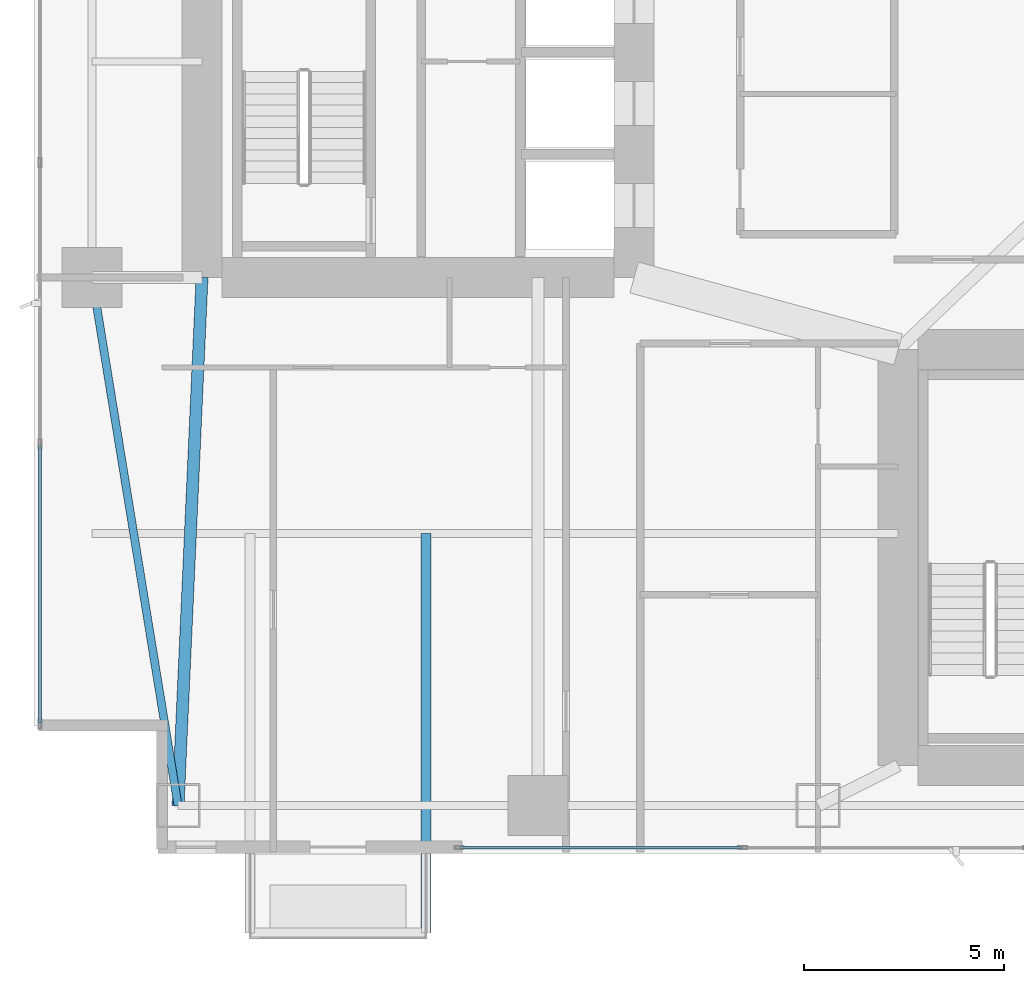
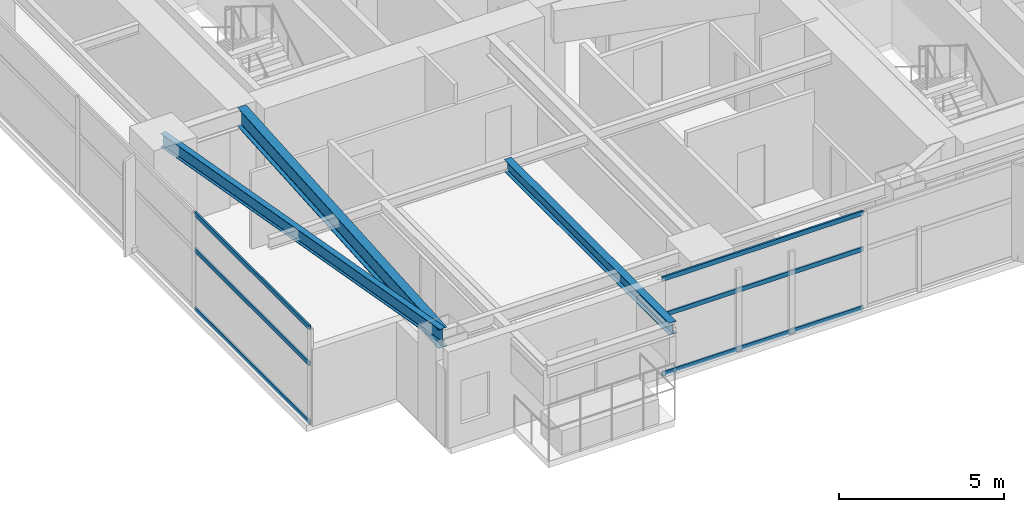
# One storey, part 3 of 30: 6 members, 3 beams, 2 elements without a shape of their own.
"""IFC4 building model written with IfcOpenShell, lengths in metres."""

from ifc_helpers import new_model, si_unit, direction, frame, origin, origin_2d, place, context, subcontext, project, spatial, hollow_rectangle, i_section, extrude, material, layer, layer_set, material_profile, profile_set, type_object, element, aggregate, save


model = new_model("IFC4")

# Units and contexts
model_context = context("Model", 3, precision=1e-05, world=origin(), true_north=direction((0.0, 1.0)))
body_context = subcontext(model_context, "Body", "Model", "MODEL_VIEW")
ifc_project = project(units=[si_unit("LENGTHUNIT", "METRE"), si_unit("AREAUNIT", "SQUARE_METRE"), si_unit("VOLUMEUNIT", "CUBIC_METRE"), si_unit("PLANEANGLEUNIT", "RADIAN"), si_unit("MASSUNIT", "GRAM", prefix="KILO")], contexts=[model_context])

# Site, building, storey
site_placement = place(None, origin())
site = spatial("IfcSite", under=ifc_project, at=site_placement, CompositionType="ELEMENT")
building_placement = place(site_placement, origin())
building = spatial("IfcBuilding", under=site, at=building_placement, Name="Calvorn Quay Hotel", CompositionType="ELEMENT")
storey_placement = place(building_placement, frame((0.0, 0.0, 50.800048828125)))
storey = spatial("IfcBuildingStorey", under=building, at=storey_placement, Name="L11", CompositionType="ELEMENT", Elevation=50.800048828125)

# Beams
ifc_material_1 = material(Name="Steel Q355B", Category="steel")
ifc_material_profile_1 = material_profile(ifc_material_1, i_section(OverallWidth=0.25, OverallDepth=0.449951171875, WebThickness=0.011962890625, FlangeThickness=0.01611328125, FilletRadius=0.01611328125, at=origin_2d()), Name="HN450x250x12x16")
ifc_profile_set_1 = profile_set([ifc_material_profile_1], Name="Steel Q355B")
beam_type_1 = type_object("IfcBeamType", Name="BM-CANT-BALC", PredefinedType="BEAM", material=ifc_profile_set_1)
beam_1_placement = place(storey_placement, frame((9.800048828125, 10.39990234375, 3.31494140625), z_axis=(0.0, -1.0, 0.0), x_axis=(1.0, 0.0, 0.0)))
element("IfcBeam", 1, at=beam_1_placement, inside=storey, type_object=beam_type_1, Name="Cantilever Balcony Beam BCB-L12-2B", PredefinedType="BEAM", context=body_context, shape_type="SweptSolid", body=[
    extrude(i_section(OverallWidth=0.25, OverallDepth=0.449951171875, WebThickness=0.011962890625, FlangeThickness=0.01611328125, FilletRadius=0.01611328125, at=origin_2d()), origin(), (0.0, 0.0, 1.0), 9.989990234375),
])
ifc_material_2 = material(Name="Steel Q390GJC", Category="steel")
ifc_material_profile_2 = material_profile(ifc_material_2, i_section(OverallWidth=0.300048828125, OverallDepth=0.699951171875, WebThickness=0.012939453125, FlangeThickness=0.02392578125, FilletRadius=0.02392578125, at=origin_2d()), Name="HN700x300x13x24")
ifc_profile_set_2 = profile_set([ifc_material_profile_2], Name="Steel Q390GJC")
beam_type_2 = type_object("IfcBeamType", Name="BM-GIRD-MAIN", PredefinedType="BEAM", material=ifc_profile_set_2)
beam_2_placement = place(storey_placement, frame((3.60009765625, 3.60009765625, 3.18994140625), z_axis=(0.045396765494, 0.998969035397, 0.0), x_axis=(-0.998969035397, 0.045396765494, 0.0)))
element("IfcBeam", 2, at=beam_2_placement, inside=storey, type_object=beam_type_2, Name="Beam BG-L11-W0", PredefinedType="BEAM", context=body_context, shape_type="SweptSolid", body=[
    extrude(i_section(OverallWidth=0.300048828125, OverallDepth=0.699951171875, WebThickness=0.012939453125, FlangeThickness=0.02392578125, FilletRadius=0.02392578125, at=origin_2d()), origin(), (0.0, 0.0, 1.0), 13.213623046875),
])
ifc_material_3 = material(Name="Steel Q355B", Category="steel")
ifc_material_profile_3 = material_profile(ifc_material_3, i_section(OverallWidth=0.199951171875, OverallDepth=0.5, WebThickness=0.010009765625, FlangeThickness=0.01611328125, FilletRadius=0.01611328125, at=origin_2d()), Name="HN500x200x10x16")
ifc_profile_set_3 = profile_set([ifc_material_profile_3], Name="Steel Q355B")
beam_type_3 = type_object("IfcBeamType", Name="BM-SPANDREL-Z1", PredefinedType="SPANDREL", material=ifc_profile_set_3)
beam_3_placement = place(storey_placement, frame((3.60009765625, 3.60009765625, 3.2900390625), z_axis=(-0.16077155054, 0.986991645627, 0.0), x_axis=(-0.986991645627, -0.16077155054, 0.0)))
element("IfcBeam", 3, at=beam_3_placement, inside=storey, type_object=beam_type_3, Name="Beam BSP-L11-W1", PredefinedType="SPANDREL", context=body_context, shape_type="SweptSolid", body=[
    extrude(i_section(OverallWidth=0.199951171875, OverallDepth=0.5, WebThickness=0.010009765625, FlangeThickness=0.01611328125, FilletRadius=0.01611328125, at=origin_2d()), origin(), (0.0, 0.0, 1.0), 13.3740234375),
])

# Curtain wall, members
ifc_material_4 = material(Name="Pale Anodised Aluminium and Low-E Glass", Category="aluminium")
ifc_layer = layer(ifc_material_4, 0.219970703125)
ifc_layer_set = layer_set([ifc_layer], Name="CW-SYS-Z1")
curtain_wall_type = type_object("IfcCurtainWallType", Name="CW-SYS-Z1", PredefinedType="NOTDEFINED", material=ifc_layer_set)
curtain_wall_1_placement = place(storey_placement, origin())
curtain_wall_1 = element("IfcCurtainWall", 4, at=curtain_wall_1_placement, inside=storey, type_object=curtain_wall_type, Name="Tower West Curtain Wall (L11)", PredefinedType="NOTDEFINED")
ifc_material_5 = material(Name="Pale Anodised Aluminium 6063-T6", Category="aluminium")
ifc_material_profile_4 = material_profile(ifc_material_5, hollow_rectangle(XDim=0.06494140625, YDim=0.1650390625, WallThickness=0.00341796875, at=origin_2d()), Name="ALU-T165x65x3.5")
ifc_profile_set_4 = profile_set([ifc_material_profile_4], Name="Pale Anodised Aluminium 6063-T6")
member_type = type_object("IfcMemberType", Name="CW-SYS-Z1-TRN", PredefinedType="USERDEFINED", material=ifc_profile_set_4)
member_1_placement = place(storey_placement, frame((0.14990234375, 5.659912109375, 0.030029296875), z_axis=(0.0, 1.0, 0.0), x_axis=(-1.0, 0.0, 0.0)))
member_1 = element("IfcMember", 5, at=member_1_placement, type_object=member_type, Name="CW-L11-W transom 1.1", ObjectType="TRANSOM", PredefinedType="USERDEFINED", context=body_context, shape_type="SweptSolid", body=[
    extrude(hollow_rectangle(XDim=0.06494140625, YDim=0.1650390625, WallThickness=0.00341796875, at=origin_2d()), origin(), (0.0, 0.0, 1.0), 6.943359375),
])
member_2_placement = place(storey_placement, frame((0.14990234375, 5.659912109375, 2.199951171875), z_axis=(0.0, 1.0, 0.0), x_axis=(-1.0, 0.0, 0.0)))
member_2 = element("IfcMember", 6, at=member_2_placement, type_object=member_type, Name="CW-L11-W transom 1.2", ObjectType="TRANSOM", PredefinedType="USERDEFINED", context=body_context, shape_type="SweptSolid", body=[
    extrude(hollow_rectangle(XDim=0.06494140625, YDim=0.1650390625, WallThickness=0.00341796875, at=origin_2d()), origin(), (0.0, 0.0, 1.0), 6.943359375),
])
member_3_placement = place(storey_placement, frame((0.14990234375, 5.659912109375, 3.530029296875), z_axis=(0.0, 1.0, 0.0), x_axis=(-1.0, 0.0, 0.0)))
member_3 = element("IfcMember", 7, at=member_3_placement, type_object=member_type, Name="CW-L11-W transom 1.3", ObjectType="TRANSOM", PredefinedType="USERDEFINED", context=body_context, shape_type="SweptSolid", body=[
    extrude(hollow_rectangle(XDim=0.06494140625, YDim=0.1650390625, WallThickness=0.00341796875, at=origin_2d()), origin(), (0.0, 0.0, 1.0), 6.943359375),
])
aggregate(curtain_wall_1, [member_1, member_2, member_3])

curtain_wall_2_placement = place(storey_placement, origin())
curtain_wall_2 = element("IfcCurtainWall", 8, at=curtain_wall_2_placement, inside=storey, type_object=curtain_wall_type, Name="Tower South Waterfront Curtain Wall (L11)", PredefinedType="NOTDEFINED")
member_4_placement = place(storey_placement, frame((10.659912109375, 2.550048828125, 0.030029296875), z_axis=(1.0, 0.0, 0.0), x_axis=(0.0, 1.0, 0.0)))
member_4 = element("IfcMember", 9, at=member_4_placement, type_object=member_type, Name="CW-L11-S transom 1.1", ObjectType="TRANSOM", PredefinedType="USERDEFINED", context=body_context, shape_type="SweptSolid", body=[
    extrude(hollow_rectangle(XDim=0.06494140625, YDim=0.1650390625, WallThickness=0.00341796875, at=origin_2d()), origin(), (0.0, 0.0, 1.0), 7.0244140625),
])
member_5_placement = place(storey_placement, frame((10.659912109375, 2.550048828125, 2.199951171875), z_axis=(1.0, 0.0, 0.0), x_axis=(0.0, 1.0, 0.0)))
member_5 = element("IfcMember", 10, at=member_5_placement, type_object=member_type, Name="CW-L11-S transom 1.2", ObjectType="TRANSOM", PredefinedType="USERDEFINED", context=body_context, shape_type="SweptSolid", body=[
    extrude(hollow_rectangle(XDim=0.06494140625, YDim=0.1650390625, WallThickness=0.00341796875, at=origin_2d()), origin(), (0.0, 0.0, 1.0), 7.0244140625),
])
member_6_placement = place(storey_placement, frame((10.659912109375, 2.550048828125, 3.530029296875), z_axis=(1.0, 0.0, 0.0), x_axis=(0.0, 1.0, 0.0)))
member_6 = element("IfcMember", 11, at=member_6_placement, type_object=member_type, Name="CW-L11-S transom 1.3", ObjectType="TRANSOM", PredefinedType="USERDEFINED", context=body_context, shape_type="SweptSolid", body=[
    extrude(hollow_rectangle(XDim=0.06494140625, YDim=0.1650390625, WallThickness=0.00341796875, at=origin_2d()), origin(), (0.0, 0.0, 1.0), 7.0244140625),
])
aggregate(curtain_wall_2, [member_4, member_5, member_6])

save(model, "model.ifc")
